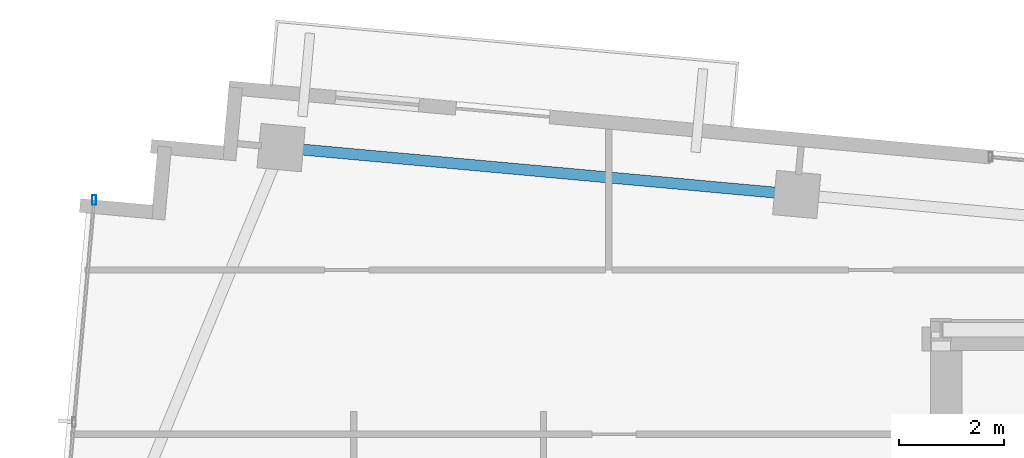
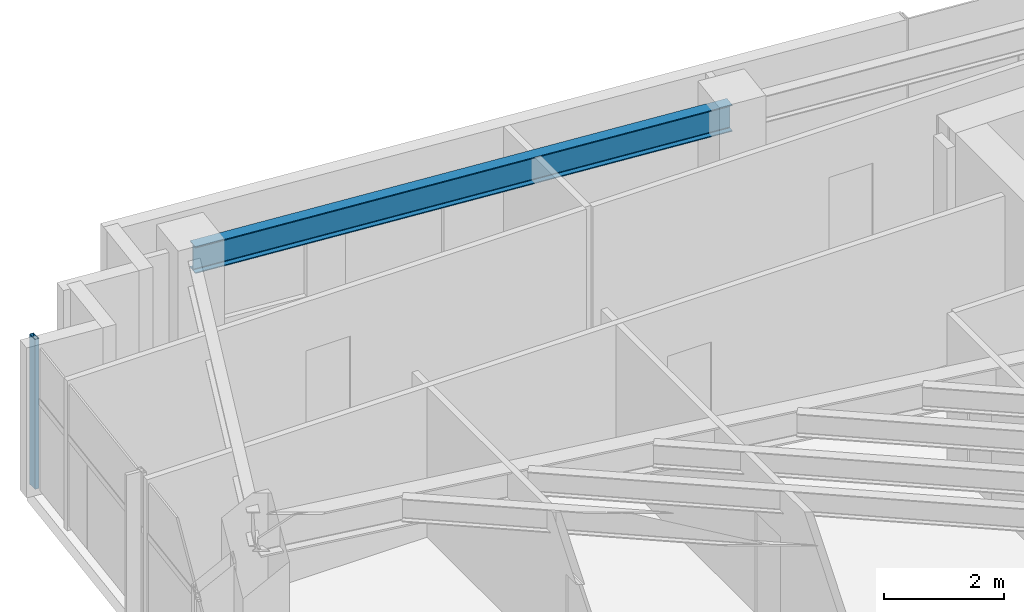
# One storey, part 9 of 22: 1 beam, 1 member, 1 element without a shape of its own.
"""IFC4 building model written with IfcOpenShell, lengths in metres."""

from ifc_helpers import new_model, si_unit, direction, frame, origin, origin_2d, place, context, subcontext, project, spatial, hollow_rectangle, i_section, extrude, source, transform, mapped, material, material_profile, profile_set, type_object, type_shapes, element, aggregate, save


model = new_model("IFC4")

# Units and contexts
model_context = context("Model", 3, precision=1e-05, world=origin(), true_north=direction((0.0, 1.0)))
body_context = subcontext(model_context, "Body", "Model", "MODEL_VIEW")
ifc_project = project(units=[si_unit("LENGTHUNIT", "METRE"), si_unit("AREAUNIT", "SQUARE_METRE"), si_unit("VOLUMEUNIT", "CUBIC_METRE"), si_unit("PLANEANGLEUNIT", "RADIAN"), si_unit("MASSUNIT", "GRAM", prefix="KILO")], contexts=[model_context])

# Site, building, storey
site_placement = place(None, origin())
site = spatial("IfcSite", under=ifc_project, at=site_placement, CompositionType="ELEMENT")
building_placement = place(site_placement, origin())
building = spatial("IfcBuilding", under=site, at=building_placement, Name="Astriad Promenade Condominiums", CompositionType="ELEMENT")
storey_placement = place(building_placement, frame((0.0, 0.0, 219.89990234375)))
storey = spatial("IfcBuildingStorey", under=building, at=storey_placement, Name="L63", CompositionType="ELEMENT", Elevation=219.89990234375)

# Beam
ifc_material_1 = material(Name="Steel ASTM A992 Grade 50", Category="steel")
ifc_material_profile_1 = material_profile(ifc_material_1, i_section(OverallWidth=0.210693359375, OverallDepth=0.53955078125, WebThickness=0.01171875, FlangeThickness=0.018798828125, FilletRadius=0.0166015625, at=origin_2d()), Name="W21X73")
ifc_profile_set_1 = profile_set([ifc_material_profile_1], Name="Steel ASTM A992 Grade 50")
beam_type = type_object("IfcBeamType", Name="STEEL SPANDREL BEAM W21X73", PredefinedType="SPANDREL", material=ifc_profile_set_1)
shared_shape_1 = source(origin(), body_context, "Body", "SweptSolid", [
    extrude(i_section(OverallWidth=0.210693359375, OverallDepth=0.53955078125, WebThickness=0.01171875, FlangeThickness=0.018798828125, FilletRadius=0.0166015625, at=origin_2d()), origin(), (0.0, 0.0, 1.0), 9.820068359375),
])
type_shapes(beam_type, [shared_shape_1])
beam_placement = place(storey_placement, frame((23.6005859375, 26.589111328125, 2.7705078125), z_axis=(-0.995883214993, 0.090645585088, 0.0), x_axis=(-0.090645585088, -0.995883214993, 0.0)))
element("IfcBeam", 1, at=beam_placement, inside=storey, type_object=beam_type, Name="Perimeter Spandrel Beam SP-N1-L63", PredefinedType="SPANDREL", context=body_context, shape_type="MappedRepresentation", body=[
    mapped(shared_shape_1, transform((0.0, 0.0, 0.0), scale=1.0)),
])

# Curtain wall, member
ifc_material_2 = material(Name="Anodised aluminium Black Dark Glass Unitised", Category="aluminium")
curtain_wall_type = type_object("IfcCurtainWallType", Name="CW-B5-DARK", PredefinedType="USERDEFINED", material=ifc_material_2)
curtain_wall_placement = place(storey_placement, origin())
curtain_wall = element("IfcCurtainWall", 2, at=curtain_wall_placement, inside=storey, type_object=curtain_wall_type, Name="CW-L63-W", ObjectType="UNITISED_CURTAIN_WALL", PredefinedType="USERDEFINED")
ifc_material_3 = material(Name="Anodised aluminium 6063-T6 Black", Category="aluminium")
ifc_material_profile_2 = material_profile(ifc_material_3, hollow_rectangle(XDim=0.074951171875, YDim=0.18505859375, WallThickness=0.00439453125, at=origin_2d()), Name="ALU-MUL-75X185")
ifc_profile_set_2 = profile_set([ifc_material_profile_2], Name="Anodised aluminium 6063-T6 Black")
member_type = type_object("IfcMemberType", Name="MUL-ALU-MUL-75X185", PredefinedType="MULLION", material=ifc_profile_set_2)
shared_shape_2 = source(origin(), body_context, "Body", "SweptSolid", [
    extrude(hollow_rectangle(XDim=0.074951171875, YDim=0.18505859375, WallThickness=0.00439453125, at=origin_2d()), origin(), (0.0, 0.0, 1.0), 3.0400390625),
])
type_shapes(member_type, [shared_shape_2])
member_placement = place(storey_placement, frame((10.205810546875, 26.482666015625, 0.0), z_axis=(0.0, 0.0, 1.0), x_axis=(1.0, 0.0, 0.0)))
member = element("IfcMember", 3, at=member_placement, type_object=member_type, Name="CW-L63-W-MUL-03", PredefinedType="MULLION", context=body_context, shape_type="MappedRepresentation", body=[
    mapped(shared_shape_2, transform((0.0, 0.0, 0.0), scale=1.0)),
])
aggregate(curtain_wall, [member])

save(model, "model.ifc")
